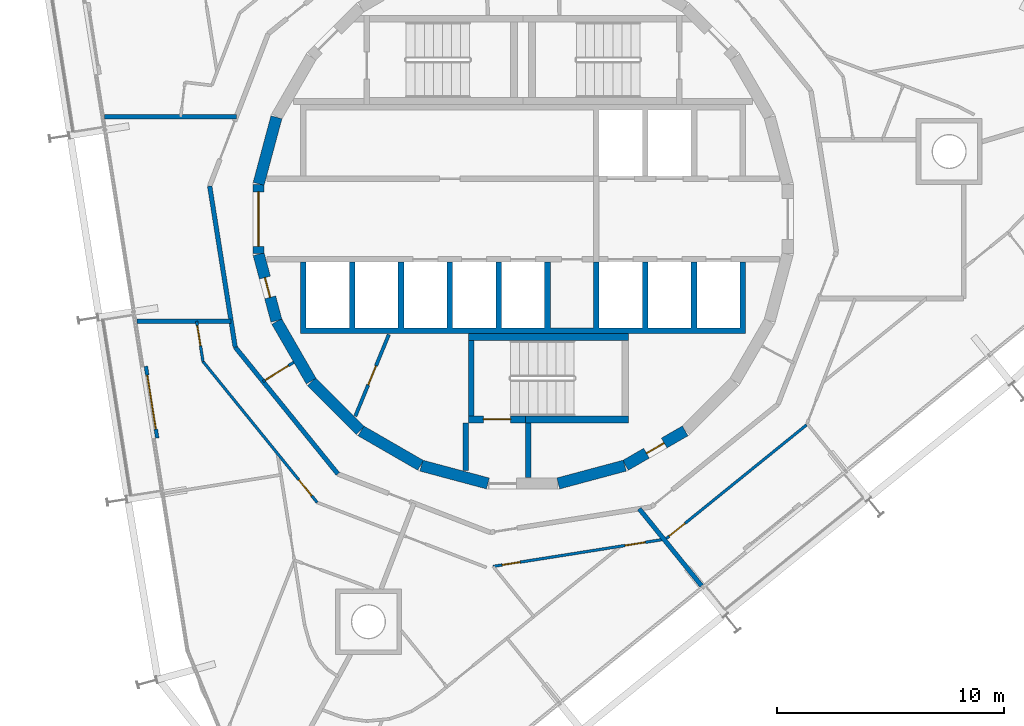
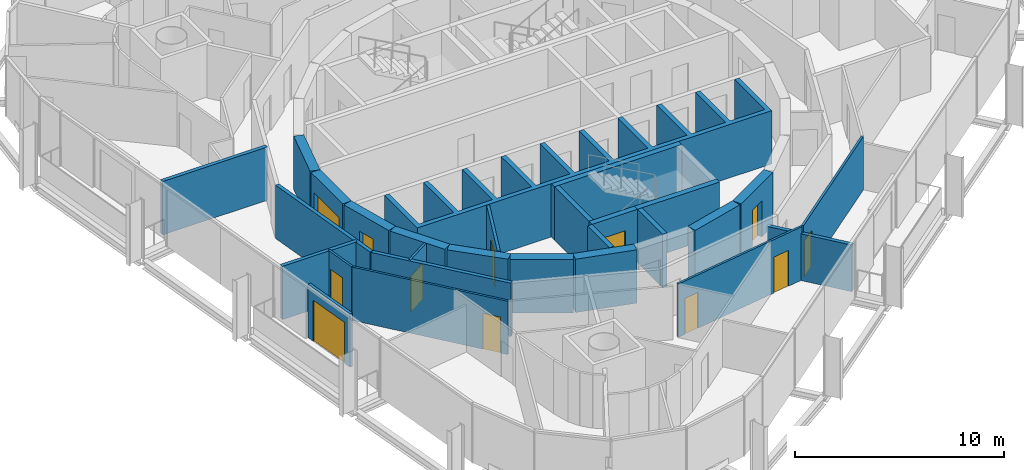
# One storey, part 12 of 17: 28 walls, 12 doors, 12 openings.
"""IFC4 building model written with IfcOpenShell, lengths in metres."""

from ifc_helpers import new_model, si_unit, direction, frame, frame_2d, origin, place, context, subcontext, project, spatial, polyline, rectangle, outline, extrude, material, layer, layer_set, type_object, element, fill, save


model = new_model("IFC4")

# Units and contexts
model_context = context("Model", 3, precision=1e-05, world=origin(), true_north=direction((0.0, 1.0)))
body_context = subcontext(model_context, "Body", "Model", "MODEL_VIEW")
ifc_project = project(units=[si_unit("LENGTHUNIT", "METRE"), si_unit("AREAUNIT", "SQUARE_METRE"), si_unit("VOLUMEUNIT", "CUBIC_METRE"), si_unit("PLANEANGLEUNIT", "RADIAN"), si_unit("MASSUNIT", "GRAM", prefix="KILO")], contexts=[model_context])

# Site, building, storey
site_placement = place(None, origin())
site = spatial("IfcSite", under=ifc_project, at=site_placement, CompositionType="ELEMENT")
building_placement = place(site_placement, origin())
building = spatial("IfcBuilding", under=site, at=building_placement, Name="Spindle Arch Residences", CompositionType="ELEMENT")
storey_placement = place(building_placement, frame((0.0, 0.0, 266.89990234375)))
storey = spatial("IfcBuildingStorey", under=building, at=storey_placement, Name="L68", CompositionType="ELEMENT", Elevation=266.89990234375)

# Wall
ifc_material_1 = material(Name="Concrete C50/60", Category="concrete")
ifc_layer_1 = layer(ifc_material_1, 0.5)
ifc_layer_set_1 = layer_set([ifc_layer_1], Name="Core outline wall 500")
wall_type_1 = type_object("IfcWallType", Name="Core outline wall 500", PredefinedType="SHEAR", material=ifc_layer_set_1)
wall_1_placement = place(storey_placement, frame((1.5498046875, -11.642822265625, 0.0), z_axis=(0.0, 0.0, 1.0), x_axis=(0.965948410781, 0.258734743916, 0.0)))
element("IfcWall", 1, at=wall_1_placement, inside=storey, type_object=wall_type_1, Name="Core outline wall 1", PredefinedType="SHEAR", context=body_context, shape_type="SweptSolid", body=[
    extrude(rectangle(XDim=3.03271484375, YDim=0.5, at=frame_2d((1.516357421875, 0.0))), origin(), (0.0, 0.0, 1.0), 3.1201171875),
])

# Wall, opening, door
wall_2_placement = place(storey_placement, frame((4.510498046875, -10.84521484375, 0.0), z_axis=(0.0, 0.0, 1.0), x_axis=(0.865975092491, 0.500087131594, 0.0)))
wall_2 = element("IfcWall", 2, at=wall_2_placement, inside=storey, type_object=wall_type_1, Name="Core outline wall 2", PredefinedType="SHEAR", context=body_context, shape_type="SweptSolid", body=[
    extrude(rectangle(XDim=3.03271484375, YDim=0.5, at=frame_2d((1.516357421875, 0.0))), origin(), (0.0, 0.0, 1.0), 3.1201171875),
])
opening_1_placement = place(wall_2_placement, frame((1.06640625, 0.0, 0.0)))
opening_1 = element("IfcOpeningElement", 3, at=opening_1_placement, cuts=wall_2, Name="Opening R7A1-WD07", PredefinedType="OPENING", context=body_context, shape_type="SweptSolid", body=[
    extrude(rectangle(XDim=0.89990234375, YDim=2.10009765625, at=frame_2d((0.449951171875, 1.050048828125))), frame((0.0, 0.260009765625, 0.0), z_axis=(0.0, -1.0, 0.0), x_axis=(1.0, 0.0, 0.0)), (0.0, 0.0, 1.0), 0.52001953125),
])
ifc_material_2 = material(Name="Steel, fire-resisting door", Category="steel")
door_type_1 = type_object("IfcDoorType", Name="Service room door 900x2100", OperationType="SINGLE_SWING_LEFT", PredefinedType="DOOR", material=ifc_material_2)
door_1_placement = place(opening_1_placement, origin())
door_1 = element("IfcDoor", 4, at=door_1_placement, inside=storey, type_object=door_type_1, Name="Service room door R7A1-WD07", OperationType="SINGLE_SWING_LEFT", OverallHeight=2.10009765625, OverallWidth=0.89990234375, PredefinedType="DOOR", context=body_context, shape_type="SweptSolid", body=[
    extrude(rectangle(XDim=0.89990234375, YDim=2.10009765625, at=frame_2d((0.449951171875, 1.050048828125))), frame((0.0, 0.02490234375, 0.0), z_axis=(0.0, -1.0, 0.0), x_axis=(1.0, 0.0, 0.0)), (0.0, 0.0, 1.0), 0.050048828125),
])
fill(opening_1, door_1)

# Wall
wall_3_placement = place(storey_placement, frame((-10.858154296875, 4.479248046875, 0.0), z_axis=(0.0, 0.0, 1.0), x_axis=(-0.258734743916, -0.965948410781, 0.0)))
element("IfcWall", 5, at=wall_3_placement, inside=storey, type_object=wall_type_1, Name="Core outline wall 17", PredefinedType="SHEAR", context=body_context, shape_type="SweptSolid", body=[
    extrude(rectangle(XDim=3.03271484375, YDim=0.5, at=frame_2d((1.516357421875, 0.0))), origin(), (0.0, 0.0, 1.0), 3.1201171875),
])

# Wall, opening, door
wall_4_placement = place(storey_placement, frame((-11.647216796875, 1.516357421875, 0.0), z_axis=(0.0, 0.0, 1.0), x_axis=(0.0, -1.0, 0.0)))
wall_4 = element("IfcWall", 6, at=wall_4_placement, inside=storey, type_object=wall_type_1, Name="Core outline wall 18", PredefinedType="SHEAR", context=body_context, shape_type="SweptSolid", body=[
    extrude(rectangle(XDim=3.03271484375, YDim=0.5, at=frame_2d((1.516357421875, 0.0))), origin(), (0.0, 0.0, 1.0), 3.1201171875),
])
opening_2_placement = place(wall_4_placement, frame((0.31640625, 0.0, 0.0)))
opening_2 = element("IfcOpeningElement", 7, at=opening_2_placement, cuts=wall_4, Name="Opening R7A1-LE01", PredefinedType="OPENING", context=body_context, shape_type="SweptSolid", body=[
    extrude(rectangle(XDim=2.39990234375, YDim=2.10009765625, at=frame_2d((1.199951171875, 1.050048828125))), frame((0.0, 0.260009765625, 0.0), z_axis=(0.0, -1.0, 0.0), x_axis=(1.0, 0.0, 0.0)), (0.0, 0.0, 1.0), 0.52001953125),
])
ifc_material_3 = material(Name="Steel, fire-resisting door", Category="steel")
door_type_2 = type_object("IfcDoorType", Name="Lift lobby entrance door 2400x2100", OperationType="DOUBLE_DOOR_SINGLE_SWING", PredefinedType="DOOR", material=ifc_material_3)
door_2_placement = place(opening_2_placement, origin())
door_2 = element("IfcDoor", 8, at=door_2_placement, inside=storey, type_object=door_type_2, Name="Lift lobby entrance door R7A1-LE01", OperationType="DOUBLE_DOOR_SINGLE_SWING", OverallHeight=2.10009765625, OverallWidth=2.39990234375, PredefinedType="DOOR", context=body_context, shape_type="SweptSolid", body=[
    extrude(rectangle(XDim=2.39990234375, YDim=2.10009765625, at=frame_2d((1.199951171875, 1.050048828125))), frame((0.0, 0.02490234375, 0.0), z_axis=(0.0, -1.0, 0.0), x_axis=(1.0, 0.0, 0.0)), (0.0, 0.0, 1.0), 0.050048828125),
])
fill(opening_2, door_2)

wall_5_placement = place(storey_placement, frame((-11.642822265625, -1.5498046875, 0.0), z_axis=(0.0, 0.0, 1.0), x_axis=(0.258734743916, -0.965948410781, 0.0)))
wall_5 = element("IfcWall", 9, at=wall_5_placement, inside=storey, type_object=wall_type_1, Name="Core outline wall 19", PredefinedType="SHEAR", context=body_context, shape_type="SweptSolid", body=[
    extrude(rectangle(XDim=3.03271484375, YDim=0.5, at=frame_2d((1.516357421875, 0.0))), origin(), (0.0, 0.0, 1.0), 3.1201171875),
])
opening_3_placement = place(wall_5_placement, frame((1.06640625, 0.0, 0.0)))
opening_3 = element("IfcOpeningElement", 10, at=opening_3_placement, cuts=wall_5, Name="Opening R7A1-WD08", PredefinedType="OPENING", context=body_context, shape_type="SweptSolid", body=[
    extrude(rectangle(XDim=0.89990234375, YDim=2.10009765625, at=frame_2d((0.449951171875, 1.050048828125))), frame((0.0, 0.260009765625, 0.0), z_axis=(0.0, -1.0, 0.0), x_axis=(1.0, 0.0, 0.0)), (0.0, 0.0, 1.0), 0.52001953125),
])
door_3_placement = place(opening_3_placement, origin())
door_3 = element("IfcDoor", 11, at=door_3_placement, inside=storey, type_object=door_type_1, Name="Service room door R7A1-WD08", OperationType="SINGLE_SWING_RIGHT", OverallHeight=2.10009765625, OverallWidth=0.89990234375, PredefinedType="DOOR", context=body_context, shape_type="SweptSolid", body=[
    extrude(rectangle(XDim=0.89990234375, YDim=2.10009765625, at=frame_2d((0.449951171875, 1.050048828125))), frame((0.0, 0.02490234375, 0.0), z_axis=(0.0, -1.0, 0.0), x_axis=(1.0, 0.0, 0.0)), (0.0, 0.0, 1.0), 0.050048828125),
])
fill(opening_3, door_3)

# Walls
wall_6_placement = place(storey_placement, frame((-10.84521484375, -4.510498046875, 0.0), z_axis=(0.0, 0.0, 1.0), x_axis=(0.500087131594, -0.865975092491, 0.0)))
element("IfcWall", 12, at=wall_6_placement, inside=storey, type_object=wall_type_1, Name="Core outline wall 20", PredefinedType="SHEAR", context=body_context, shape_type="SweptSolid", body=[
    extrude(rectangle(XDim=3.03271484375, YDim=0.5, at=frame_2d((1.516357421875, 0.0))), origin(), (0.0, 0.0, 1.0), 3.1201171875),
])
wall_7_placement = place(storey_placement, frame((-9.30810546875, -7.163818359375, 0.0), z_axis=(0.0, 0.0, 1.0), x_axis=(0.707106781187, -0.707106781187, 0.0)))
element("IfcWall", 13, at=wall_7_placement, inside=storey, type_object=wall_type_1, Name="Core outline wall 21", PredefinedType="SHEAR", context=body_context, shape_type="SweptSolid", body=[
    extrude(rectangle(XDim=3.032470703125, YDim=0.5, at=frame_2d((1.51611328125, 0.0))), origin(), (0.0, 0.0, 1.0), 3.1201171875),
])
for number, where, z_axis, x_axis, name in (
    (14, (-7.13671875, -9.32861328125, 0.0), (0.0, 0.0, 1.0), (0.865975092491, -0.500087131594, 0.0), "Core outline wall 22"),
    (15, (-4.479248046875, -10.858154296875, 0.0), (0.0, 0.0, 1.0), (0.965948410781, -0.258734743916, 0.0), "Core outline wall 23"),
):
    element("IfcWall", number, at=place(storey_placement, frame(where, z_axis=z_axis, x_axis=x_axis)), inside=storey, type_object=wall_type_1, Name=name, PredefinedType="SHEAR", context=body_context, shape_type="SweptSolid", body=[
        extrude(rectangle(XDim=3.03271484375, YDim=0.5, at=frame_2d((1.516357421875, 0.0))), origin(), (0.0, 0.0, 1.0), 3.1201171875),
    ])

# Wall, opening, door
ifc_material_4 = material(Name="Plasterboard on steel studs", Category="steel")
ifc_layer_2 = layer(ifc_material_4, 0.1201171875)
ifc_layer_set_2 = layer_set([ifc_layer_2], Name="Corridor division wall 120")
wall_type_2 = type_object("IfcWallType", Name="Corridor division wall 120", PredefinedType="PARTITIONING", material=ifc_layer_set_2)
wall_8_placement = place(storey_placement, frame((-11.44921875, -7.154296875, 0.0), z_axis=(0.0, 0.0, 1.0), x_axis=(0.848067047543, 0.529888934468, 0.0)))
wall_8 = element("IfcWall", 16, at=wall_8_placement, inside=storey, type_object=wall_type_2, Name="Corridor division wall R7A1-W003", PredefinedType="PARTITIONING", context=body_context, shape_type="SweptSolid", body=[
    extrude(rectangle(XDim=1.595947265625, YDim=0.1201171875, at=frame_2d((0.7978515625, 0.0))), origin(), (0.0, 0.0, 1.0), 3.1201171875),
])
opening_4_placement = place(wall_8_placement, frame((0.1201171875, 0.0, 0.0)))
opening_4 = element("IfcOpeningElement", 17, at=opening_4_placement, cuts=wall_8, Name="Opening R7A1-CD03", PredefinedType="OPENING", context=body_context, shape_type="SweptSolid", body=[
    extrude(rectangle(XDim=1.199951171875, YDim=2.10009765625, at=frame_2d((0.60009765625, 1.050048828125))), frame((0.0, 0.070068359375, 0.0), z_axis=(0.0, -1.0, 0.0), x_axis=(1.0, 0.0, 0.0)), (0.0, 0.0, 1.0), 0.14013671875),
])
ifc_material_5 = material(Name="Steel, fire-resisting door", Category="steel")
door_type_3 = type_object("IfcDoorType", Name="Corridor division door 1200x2100", OperationType="NOTDEFINED", PredefinedType="DOOR", material=ifc_material_5)
door_4_placement = place(opening_4_placement, origin())
door_4 = element("IfcDoor", 18, at=door_4_placement, inside=storey, type_object=door_type_3, Name="Corridor division door R7A1-CD03", OperationType="DOUBLE_DOOR_SINGLE_SWING", OverallHeight=2.10009765625, OverallWidth=1.199951171875, PredefinedType="DOOR", context=body_context, shape_type="SweptSolid", body=[
    extrude(rectangle(XDim=1.199951171875, YDim=2.10009765625, at=frame_2d((0.60009765625, 1.050048828125))), frame((0.0, 0.02490234375, 0.0), z_axis=(0.0, -1.0, 0.0), x_axis=(1.0, 0.0, 0.0)), (0.0, 0.0, 1.0), 0.050048828125),
])
fill(opening_4, door_4)

# Wall
ifc_material_6 = material(Name="Calcium silicate block, plastered")
ifc_layer_3 = layer(ifc_material_6, 0.199951171875)
ifc_layer_set_3 = layer_set([ifc_layer_3], Name="Corridor wall 200")
wall_type_3 = type_object("IfcWallType", Name="Corridor wall 200", PredefinedType="STANDARD", material=ifc_layer_set_3)
wall_9_placement = place(storey_placement, frame((-12.67333984375, -5.642578125, 0.0), z_axis=(0.0, 0.0, 1.0), x_axis=(0.629302871585, -0.777160148113, 0.0)))
element("IfcWall", 19, at=wall_9_placement, inside=storey, type_object=wall_type_3, Name="Corridor wall R7A1-W012", PredefinedType="STANDARD", context=body_context, shape_type="SweptSolid", body=[
    extrude(rectangle(XDim=7.180908203125, YDim=0.199951171875, at=frame_2d((3.59033203125, 0.0))), origin(), (0.0, 0.0, 1.0), 3.1201171875),
])

# Wall, opening, door
ifc_material_7 = material(Name="Plasterboard on steel studs", Category="steel")
ifc_layer_4 = layer(ifc_material_7, 0.1201171875)
ifc_layer_set_4 = layer_set([ifc_layer_4], Name="Flat partition 120")
wall_type_4 = type_object("IfcWallType", Name="Flat partition 120", PredefinedType="PARTITIONING", material=ifc_layer_set_4)
wall_10_placement = place(storey_placement, frame((-14.373046875, -4.5, 0.0), z_axis=(0.0, 0.0, 1.0), x_axis=(0.156437152886, -0.987687914878, 0.0)))
wall_10 = element("IfcWall", 20, at=wall_10_placement, inside=storey, type_object=wall_type_4, Name="Flat partition R7A1-W063", PredefinedType="PARTITIONING", context=body_context, shape_type="SweptSolid", body=[
    extrude(rectangle(XDim=1.79638671875, YDim=0.1201171875, at=frame_2d((0.898193359375, 0.0))), origin(), (0.0, 0.0, 1.0), 3.1201171875),
])
opening_5_placement = place(wall_10_placement, frame((0.199951171875, 0.0, 0.0)))
opening_5 = element("IfcOpeningElement", 21, at=opening_5_placement, cuts=wall_10, Name="Opening R7A1-ID14", PredefinedType="OPENING", context=body_context, shape_type="SweptSolid", body=[
    extrude(rectangle(XDim=0.89990234375, YDim=2.10009765625, at=frame_2d((0.449951171875, 1.050048828125))), frame((0.0, 0.070068359375, 0.0), z_axis=(0.0, -1.0, 0.0), x_axis=(1.0, 0.0, 0.0)), (0.0, 0.0, 1.0), 0.14013671875),
])
ifc_material_8 = material(Name="Timber door set", Category="wood")
door_type_4 = type_object("IfcDoorType", Name="Room door 900x2100", OperationType="NOTDEFINED", PredefinedType="DOOR", material=ifc_material_8)
door_5_placement = place(opening_5_placement, origin())
door_5 = element("IfcDoor", 22, at=door_5_placement, inside=storey, type_object=door_type_4, Name="Room door R7A1-ID14", OperationType="SINGLE_SWING_RIGHT", OverallHeight=2.10009765625, OverallWidth=0.89990234375, PredefinedType="DOOR", context=body_context, shape_type="SweptSolid", body=[
    extrude(rectangle(XDim=0.89990234375, YDim=2.10009765625, at=frame_2d((0.449951171875, 1.050048828125))), frame((0.0, 0.02490234375, 0.0), z_axis=(0.0, -1.0, 0.0), x_axis=(1.0, 0.0, 0.0)), (0.0, 0.0, 1.0), 0.050048828125),
])
fill(opening_5, door_5)

wall_11_placement = place(storey_placement, frame((-14.092041015625, -6.274169921875, 0.0), z_axis=(0.0, 0.0, 1.0), x_axis=(0.62933367237, -0.777135206268, 0.0)))
wall_11 = element("IfcWall", 23, at=wall_11_placement, inside=storey, type_object=wall_type_4, Name="Flat partition R7A1-W064", PredefinedType="PARTITIONING", context=body_context, shape_type="SweptSolid", body=[
    extrude(rectangle(XDim=7.98486328125, YDim=0.1201171875, at=frame_2d((3.992431640625, 0.0))), origin(), (0.0, 0.0, 1.0), 3.1201171875),
])
opening_6_placement = place(wall_11_placement, frame((6.706787109375, 0.0, 0.0)))
opening_6 = element("IfcOpeningElement", 24, at=opening_6_placement, cuts=wall_11, Name="Opening R7A1-ID15", PredefinedType="OPENING", context=body_context, shape_type="SweptSolid", body=[
    extrude(rectangle(XDim=0.89990234375, YDim=2.10009765625, at=frame_2d((0.449951171875, 1.050048828125))), frame((0.0, 0.070068359375, 0.0), z_axis=(0.0, -1.0, 0.0), x_axis=(1.0, 0.0, 0.0)), (0.0, 0.0, 1.0), 0.14013671875),
])
door_6_placement = place(opening_6_placement, origin())
door_6 = element("IfcDoor", 25, at=door_6_placement, inside=storey, type_object=door_type_4, Name="Room door R7A1-ID15", OperationType="SINGLE_SWING_RIGHT", OverallHeight=2.10009765625, OverallWidth=0.89990234375, PredefinedType="DOOR", context=body_context, shape_type="SweptSolid", body=[
    extrude(rectangle(XDim=0.89990234375, YDim=2.10009765625, at=frame_2d((0.449951171875, 1.050048828125))), frame((0.0, 0.02490234375, 0.0), z_axis=(0.0, -1.0, 0.0), x_axis=(1.0, 0.0, 0.0)), (0.0, 0.0, 1.0), 0.050048828125),
])
fill(opening_6, door_6)

# Wall, openings, doors
wall_12_placement = place(storey_placement, frame((-1.318359375, -15.29443359375, 0.0), z_axis=(0.0, 0.0, 1.0), x_axis=(0.987689040792, 0.156430044108, 0.0)))
wall_12 = element("IfcWall", 26, at=wall_12_placement, inside=storey, type_object=wall_type_4, Name="Flat partition R7A1-W074", PredefinedType="PARTITIONING", context=body_context, shape_type="SweptSolid", body=[
    extrude(rectangle(XDim=7.6162109375, YDim=0.1201171875, at=frame_2d((3.80810546875, 0.0))), origin(), (0.0, 0.0, 1.0), 3.1201171875),
])
opening_7_placement = place(wall_12_placement, frame((0.39990234375, 0.0, 0.0)))
opening_7 = element("IfcOpeningElement", 27, at=opening_7_placement, cuts=wall_12, Name="Opening R7A1-BD05", PredefinedType="OPENING", context=body_context, shape_type="SweptSolid", body=[
    extrude(rectangle(XDim=0.800048828125, YDim=2.10009765625, at=frame_2d((0.39990234375, 1.050048828125))), frame((0.0, 0.070068359375, 0.0), z_axis=(0.0, -1.0, 0.0), x_axis=(1.0, 0.0, 0.0)), (0.0, 0.0, 1.0), 0.14013671875),
])
opening_8_placement = place(wall_12_placement, frame((5.88037109375, 0.0, 0.0)))
opening_8 = element("IfcOpeningElement", 28, at=opening_8_placement, cuts=wall_12, Name="Opening R7A1-ID19", PredefinedType="OPENING", context=body_context, shape_type="SweptSolid", body=[
    extrude(rectangle(XDim=0.89990234375, YDim=2.10009765625, at=frame_2d((0.449951171875, 1.050048828125))), frame((0.0, 0.070068359375, 0.0), z_axis=(0.0, -1.0, 0.0), x_axis=(1.0, 0.0, 0.0)), (0.0, 0.0, 1.0), 0.14013671875),
])
ifc_material_9 = material(Name="Timber door set", Category="wood")
door_type_5 = type_object("IfcDoorType", Name="Bathroom door 800x2100", OperationType="NOTDEFINED", PredefinedType="DOOR", material=ifc_material_9)
door_7_placement = place(opening_7_placement, origin())
door_7 = element("IfcDoor", 29, at=door_7_placement, inside=storey, type_object=door_type_5, Name="Bathroom door R7A1-BD05", OperationType="SINGLE_SWING_LEFT", OverallHeight=2.10009765625, OverallWidth=0.800048828125, PredefinedType="DOOR", context=body_context, shape_type="SweptSolid", body=[
    extrude(rectangle(XDim=0.800048828125, YDim=2.10009765625, at=frame_2d((0.39990234375, 1.050048828125))), frame((0.0, 0.02490234375, 0.0), z_axis=(0.0, -1.0, 0.0), x_axis=(1.0, 0.0, 0.0)), (0.0, 0.0, 1.0), 0.050048828125),
])
fill(opening_7, door_7)
door_8_placement = place(opening_8_placement, origin())
door_8 = element("IfcDoor", 30, at=door_8_placement, inside=storey, type_object=door_type_4, Name="Room door R7A1-ID19", OperationType="SINGLE_SWING_LEFT", OverallHeight=2.10009765625, OverallWidth=0.89990234375, PredefinedType="DOOR", context=body_context, shape_type="SweptSolid", body=[
    extrude(rectangle(XDim=0.89990234375, YDim=2.10009765625, at=frame_2d((0.449951171875, 1.050048828125))), frame((0.0, 0.02490234375, 0.0), z_axis=(0.0, -1.0, 0.0), x_axis=(1.0, 0.0, 0.0)), (0.0, 0.0, 1.0), 0.050048828125),
])
fill(opening_8, door_8)

# Wall, opening, door
wall_13_placement = place(storey_placement, frame((6.274169921875, -14.092041015625, 0.0), z_axis=(0.0, 0.0, 1.0), x_axis=(0.777135206268, 0.62933367237, 0.0)))
wall_13 = element("IfcWall", 31, at=wall_13_placement, inside=storey, type_object=wall_type_4, Name="Flat partition R7A1-W085", PredefinedType="PARTITIONING", context=body_context, shape_type="SweptSolid", body=[
    extrude(rectangle(XDim=7.98486328125, YDim=0.1201171875, at=frame_2d((3.992431640625, 0.0))), origin(), (0.0, 0.0, 1.0), 3.1201171875),
])
opening_9_placement = place(wall_13_placement, frame((0.199951171875, 0.0, 0.0)))
opening_9 = element("IfcOpeningElement", 32, at=opening_9_placement, cuts=wall_13, Name="Opening R7A1-ID23", PredefinedType="OPENING", context=body_context, shape_type="SweptSolid", body=[
    extrude(rectangle(XDim=0.89990234375, YDim=2.10009765625, at=frame_2d((0.449951171875, 1.050048828125))), frame((0.0, 0.070068359375, 0.0), z_axis=(0.0, -1.0, 0.0), x_axis=(1.0, 0.0, 0.0)), (0.0, 0.0, 1.0), 0.14013671875),
])
door_9_placement = place(opening_9_placement, origin())
door_9 = element("IfcDoor", 33, at=door_9_placement, inside=storey, type_object=door_type_4, Name="Room door R7A1-ID23", OperationType="SINGLE_SWING_LEFT", OverallHeight=2.10009765625, OverallWidth=0.89990234375, PredefinedType="DOOR", context=body_context, shape_type="SweptSolid", body=[
    extrude(rectangle(XDim=0.89990234375, YDim=2.10009765625, at=frame_2d((0.449951171875, 1.050048828125))), frame((0.0, 0.02490234375, 0.0), z_axis=(0.0, -1.0, 0.0), x_axis=(1.0, 0.0, 0.0)), (0.0, 0.0, 1.0), 0.050048828125),
])
fill(opening_9, door_9)

# Wall
ifc_material_10 = material(Name="Calcium silicate block, plastered")
ifc_layer_5 = layer(ifc_material_10, 0.199951171875)
ifc_layer_set_5 = layer_set([ifc_layer_5], Name="Flat party wall 200 under beam 2730")
wall_type_5 = type_object("IfcWallType", Name="Flat party wall 200 under beam 2730", PredefinedType="STANDARD", material=ifc_layer_set_5)
wall_14_placement = place(storey_placement, frame((7.860595703125, -16.1484375, 0.0), z_axis=(0.0, 0.0, 1.0), x_axis=(-0.629330189513, 0.777138026716, 0.0)))
element("IfcWall", 34, at=wall_14_placement, inside=storey, type_object=wall_type_5, Name="Flat party wall R7A1-W029", PredefinedType="STANDARD", context=body_context, shape_type="SweptSolid", body=[
    extrude(rectangle(XDim=4.364013671875, YDim=0.199951171875, at=frame_2d((2.18212890625, 0.0))), origin(), (0.0, 0.0, 1.0), 2.72998046875),
])

# Wall, opening, door
ifc_material_11 = material(Name="Non-combustible mineral wool insulated aluminium faced external wall (K0)", Category="aluminium")
ifc_layer_6 = layer(ifc_material_11, 0.159912109375)
ifc_layer_set_6 = layer_set([ifc_layer_6], Name="Insulated external wall panel 160")
wall_type_6 = type_object("IfcWallType", Name="Insulated external wall panel 160", PredefinedType="STANDARD", material=ifc_layer_set_6)
wall_15_placement = place(storey_placement, frame((-16.60693359375, -6.482666015625, 0.0), z_axis=(0.0, 0.0, 1.0), x_axis=(0.156401347891, -0.987693585267, 0.0)))
wall_15 = element("IfcWall", 35, at=wall_15_placement, inside=storey, type_object=wall_type_6, Name="External wall L68 bay 14", PredefinedType="STANDARD", context=body_context, shape_type="SweptSolid", body=[
    extrude(rectangle(XDim=3.199951171875, YDim=0.159912109375, at=frame_2d((1.60009765625, 0.0))), origin(), (0.0, 0.0, 1.0), 3.1201171875),
])
opening_10_placement = place(wall_15_placement, frame((0.39990234375, 0.0, 0.0)))
opening_10 = element("IfcOpeningElement", 36, at=opening_10_placement, cuts=wall_15, Name="Opening BD14", PredefinedType="OPENING", context=body_context, shape_type="SweptSolid", body=[
    extrude(rectangle(XDim=2.39990234375, YDim=2.39990234375, at=frame_2d((1.199951171875, 1.199951171875))), frame((0.0, 0.08984375, 0.0), z_axis=(0.0, -1.0, 0.0), x_axis=(1.0, 0.0, 0.0)), (0.0, 0.0, 1.0), 0.179931640625),
])
ifc_material_12 = material(Name="Bronze aluminium frame, tinted double glazing", Category="aluminium")
door_type_6 = type_object("IfcDoorType", Name="Sliding glazed balcony door 2400x2400", OperationType="DOUBLE_DOOR_SLIDING", PredefinedType="DOOR", material=ifc_material_12)
door_10_placement = place(opening_10_placement, origin())
door_10 = element("IfcDoor", 37, at=door_10_placement, inside=storey, type_object=door_type_6, Name="Balcony door BD14", OperationType="DOUBLE_DOOR_SLIDING", OverallHeight=2.39990234375, OverallWidth=2.39990234375, PredefinedType="DOOR", context=body_context, shape_type="SweptSolid", body=[
    extrude(rectangle(XDim=2.39990234375, YDim=2.39990234375, at=frame_2d((1.199951171875, 1.199951171875))), frame((0.0, 0.02490234375, 0.0), z_axis=(0.0, -1.0, 0.0), x_axis=(1.0, 0.0, 0.0)), (0.0, 0.0, 1.0), 0.050048828125),
])
fill(opening_10, door_10)

# Walls
ifc_material_13 = material(Name="Calcium silicate block, plastered")
ifc_layer_7 = layer(ifc_material_13, 0.199951171875)
ifc_layer_set_7 = layer_set([ifc_layer_7], Name="Lift lobby bay wall 200")
wall_type_7 = type_object("IfcWallType", Name="Lift lobby bay wall 200", PredefinedType="STANDARD", material=ifc_layer_set_7)
wall_16_placement = place(storey_placement, frame((-13.796630859375, 1.4501953125, 0.0), z_axis=(0.0, 0.0, 1.0), x_axis=(0.156421704315, -0.987690361611, 0.0)))
element("IfcWall", 38, at=wall_16_placement, inside=storey, type_object=wall_type_7, Name="Lift lobby bay wall R7A1-W010", PredefinedType="STANDARD", context=body_context, shape_type="SweptSolid", body=[
    extrude(rectangle(XDim=7.18115234375, YDim=0.199951171875, at=frame_2d((3.590576171875, 0.0))), origin(), (0.0, 0.0, 1.0), 3.1201171875),
])
wall_17_placement = place(storey_placement, frame((-12.6259765625, 4.5, 0.0), z_axis=(0.0, 0.0, 1.0), x_axis=(-1.0, 0.0, 0.0)))
element("IfcWall", 39, at=wall_17_placement, inside=storey, type_object=wall_type_7, Name="Lift lobby bay wall R7A1-W016", PredefinedType="STANDARD", context=body_context, shape_type="SweptSolid", body=[
    extrude(rectangle(XDim=5.801513671875, YDim=0.199951171875, at=frame_2d((2.90087890625, 0.0))), origin(), (0.0, 0.0, 1.0), 3.1201171875),
])
wall_18_placement = place(storey_placement, frame((-17.001953125, -4.5, 0.0), z_axis=(0.0, 0.0, 1.0), x_axis=(1.0, 0.0, 0.0)))
element("IfcWall", 40, at=wall_18_placement, inside=storey, type_object=wall_type_7, Name="Lift lobby bay wall R7A1-W017", PredefinedType="STANDARD", context=body_context, shape_type="SweptSolid", body=[
    extrude(rectangle(XDim=4.147705078125, YDim=0.199951171875, at=frame_2d((2.07373046875, 0.0))), origin(), (0.0, 0.0, 1.0), 3.1201171875),
])
ifc_material_14 = material(Name="Concrete C50/60", Category="concrete")
wall_type_8 = type_object("IfcWallType", Name="Lift shaft wall profile", PredefinedType="SHEAR", material=ifc_material_14)
wall_19_placement = place(storey_placement, origin())
element("IfcWall", 41, at=wall_19_placement, inside=storey, type_object=wall_type_8, Name="Lift shaft walls S", PredefinedType="SHEAR", context=body_context, shape_type="SweptSolid", body=[
    extrude(outline(polyline([(9.800048828125, -5.050048828125), (9.800048828125, -4.800048828125), (9.800048828125, -1.89990234375), (9.550048828125, -1.89990234375), (9.550048828125, -4.800048828125), (7.64990234375, -4.800048828125), (7.64990234375, -1.89990234375), (7.39990234375, -1.89990234375), (7.39990234375, -4.800048828125), (5.5, -4.800048828125), (5.5, -1.89990234375), (5.25, -1.89990234375), (5.25, -4.800048828125), (3.35009765625, -4.800048828125), (3.35009765625, -1.89990234375), (3.10009765625, -1.89990234375), (3.10009765625, -4.800048828125), (1.199951171875, -4.800048828125), (1.199951171875, -1.89990234375), (0.949951171875, -1.89990234375), (0.949951171875, -4.800048828125), (-0.949951171875, -4.800048828125), (-0.949951171875, -1.89990234375), (-1.199951171875, -1.89990234375), (-1.199951171875, -4.800048828125), (-3.10009765625, -4.800048828125), (-3.10009765625, -1.89990234375), (-3.35009765625, -1.89990234375), (-3.35009765625, -4.800048828125), (-5.25, -4.800048828125), (-5.25, -1.89990234375), (-5.5, -1.89990234375), (-5.5, -4.800048828125), (-7.39990234375, -4.800048828125), (-7.39990234375, -1.89990234375), (-7.64990234375, -1.89990234375), (-7.64990234375, -4.800048828125), (-9.550048828125, -4.800048828125), (-9.550048828125, -1.89990234375), (-9.800048828125, -1.89990234375), (-9.800048828125, -4.800048828125), (-9.800048828125, -5.050048828125), (9.800048828125, -5.050048828125)])), origin(), (0.0, 0.0, 1.0), 3.1201171875),
])

# Wall, opening, door
ifc_material_15 = material(Name="Concrete C25/30", Category="concrete")
ifc_layer_8 = layer(ifc_material_15, 0.14990234375)
ifc_layer_set_8 = layer_set([ifc_layer_8], Name="Service room partition 150")
wall_type_9 = type_object("IfcWallType", Name="Service room partition 150", PredefinedType="PARTITIONING", material=ifc_layer_set_8)
wall_20_placement = place(storey_placement, frame((-7.385009765625, -8.680908203125, 0.0), z_axis=(0.0, 0.0, 1.0), x_axis=(0.379804590409, 0.925066739811, 0.0)))
wall_20 = element("IfcWall", 42, at=wall_20_placement, inside=storey, type_object=wall_type_9, Name="Core service room partition", PredefinedType="PARTITIONING", context=body_context, shape_type="SweptSolid", body=[
    extrude(rectangle(XDim=3.885009765625, YDim=0.14990234375, at=frame_2d((1.9423828125, 0.0))), origin(), (0.0, 0.0, 1.0), 3.1201171875),
])
opening_11_placement = place(wall_20_placement, frame((1.49267578125, 0.0, 0.0)))
opening_11 = element("IfcOpeningElement", 43, at=opening_11_placement, cuts=wall_20, Name="Opening R7A1-WD04", PredefinedType="OPENING", context=body_context, shape_type="SweptSolid", body=[
    extrude(rectangle(XDim=0.89990234375, YDim=2.10009765625, at=frame_2d((0.449951171875, 1.050048828125))), frame((0.0, 0.0849609375, 0.0), z_axis=(0.0, -1.0, 0.0), x_axis=(1.0, 0.0, 0.0)), (0.0, 0.0, 1.0), 0.169921875),
])
door_11_placement = place(opening_11_placement, origin())
door_11 = element("IfcDoor", 44, at=door_11_placement, inside=storey, type_object=door_type_1, Name="Service room door R7A1-WD04", OperationType="SINGLE_SWING_RIGHT", OverallHeight=2.10009765625, OverallWidth=0.89990234375, PredefinedType="DOOR", context=body_context, shape_type="SweptSolid", body=[
    extrude(rectangle(XDim=0.89990234375, YDim=2.10009765625, at=frame_2d((0.449951171875, 1.050048828125))), frame((0.0, 0.02490234375, 0.0), z_axis=(0.0, -1.0, 0.0), x_axis=(1.0, 0.0, 0.0)), (0.0, 0.0, 1.0), 0.050048828125),
])
fill(opening_11, door_11)

# Walls
ifc_material_16 = material(Name="Concrete C40/50", Category="concrete")
ifc_layer_9 = layer(ifc_material_16, 0.25)
ifc_layer_set_9 = layer_set([ifc_layer_9], Name="Stair airlock wall 250")
wall_type_10 = type_object("IfcWallType", Name="Stair airlock wall 250", PredefinedType="SHEAR", material=ifc_layer_set_9)
wall_21_placement = place(storey_placement, frame((-2.52490234375, -8.969970703125, 0.0), z_axis=(0.0, 0.0, 1.0), x_axis=(0.0, -1.0, 0.0)))
element("IfcWall", 45, at=wall_21_placement, inside=storey, type_object=wall_type_10, Name="Stair ST-3 airlock wall W", PredefinedType="SHEAR", context=body_context, shape_type="SweptSolid", body=[
    extrude(rectangle(XDim=2.110107421875, YDim=0.25, at=frame_2d((1.05517578125, 0.0))), origin(), (0.0, 0.0, 1.0), 3.1201171875),
])
wall_22_placement = place(storey_placement, frame((0.22509765625, -8.969970703125, 0.0), z_axis=(0.0, 0.0, 1.0), x_axis=(0.0, -1.0, 0.0)))
element("IfcWall", 46, at=wall_22_placement, inside=storey, type_object=wall_type_10, Name="Stair ST-3 airlock wall E", PredefinedType="SHEAR", context=body_context, shape_type="SweptSolid", body=[
    extrude(rectangle(XDim=2.409912109375, YDim=0.25, at=frame_2d((1.205078125, 0.0))), origin(), (0.0, 0.0, 1.0), 3.1201171875),
])
ifc_material_17 = material(Name="Concrete C50/60", Category="concrete")
ifc_layer_10 = layer(ifc_material_17, 0.25)
ifc_layer_set_10 = layer_set([ifc_layer_10], Name="Stair enclosure wall 250")
wall_type_11 = type_object("IfcWallType", Name="Stair enclosure wall 250", PredefinedType="SHEAR", material=ifc_layer_set_10)
wall_23_placement = place(storey_placement, frame((-2.27490234375, -8.669921875, 0.0), z_axis=(0.0, 0.0, 1.0), x_axis=(0.0, 1.0, 0.0)))
element("IfcWall", 47, at=wall_23_placement, inside=storey, type_object=wall_type_11, Name="Stair ST-3 enclosure wall W", PredefinedType="SHEAR", context=body_context, shape_type="SweptSolid", body=[
    extrude(rectangle(XDim=3.31982421875, YDim=0.25, at=frame_2d((1.659912109375, 0.0))), origin(), (0.0, 0.0, 1.0), 3.1201171875),
])
ifc_material_18 = material(Name="Concrete C50/60", Category="concrete")
ifc_layer_11 = layer(ifc_material_18, 0.300048828125)
ifc_layer_set_11 = layer_set([ifc_layer_11], Name="Stair enclosure wall 300")
wall_type_12 = type_object("IfcWallType", Name="Stair enclosure wall 300", PredefinedType="SHEAR", material=ifc_layer_set_11)
wall_24_placement = place(storey_placement, frame((-2.39990234375, -5.199951171875, 0.0), z_axis=(0.0, 0.0, 1.0), x_axis=(1.0, 0.0, 0.0)))
element("IfcWall", 48, at=wall_24_placement, inside=storey, type_object=wall_type_12, Name="Stair ST-3 enclosure wall N", PredefinedType="SHEAR", context=body_context, shape_type="SweptSolid", body=[
    extrude(rectangle(XDim=7.0498046875, YDim=0.300048828125, at=frame_2d((3.52490234375, 0.0))), origin(), (0.0, 0.0, 1.0), 3.1201171875),
])
wall_25_placement = place(storey_placement, frame((0.10009765625, -8.820068359375, 0.0), z_axis=(0.0, 0.0, 1.0), x_axis=(1.0, 0.0, 0.0)))
element("IfcWall", 49, at=wall_25_placement, inside=storey, type_object=wall_type_12, Name="Stair ST-3 enclosure wall S", PredefinedType="SHEAR", context=body_context, shape_type="SweptSolid", body=[
    extrude(rectangle(XDim=4.5498046875, YDim=0.300048828125, at=frame_2d((2.27490234375, 0.0))), origin(), (0.0, 0.0, 1.0), 3.1201171875),
])

# Wall, opening, door
wall_26_placement = place(storey_placement, frame((-2.39990234375, -8.820068359375, 0.0), z_axis=(0.0, 0.0, 1.0), x_axis=(1.0, 0.0, 0.0)))
wall_26 = element("IfcWall", 50, at=wall_26_placement, inside=storey, type_object=wall_type_12, Name="Stair ST-3 door wall", PredefinedType="SHEAR", context=body_context, shape_type="SweptSolid", body=[
    extrude(rectangle(XDim=2.5, YDim=0.300048828125, at=frame_2d((1.25, 0.0))), origin(), (0.0, 0.0, 1.0), 3.1201171875),
])
opening_12_placement = place(wall_26_placement, frame((0.64990234375, 0.0, 0.0)))
opening_12 = element("IfcOpeningElement", 51, at=opening_12_placement, cuts=wall_26, Name="Opening R7A1-SD03", PredefinedType="OPENING", context=body_context, shape_type="SweptSolid", body=[
    extrude(rectangle(XDim=1.199951171875, YDim=2.10009765625, at=frame_2d((0.60009765625, 1.050048828125))), frame((0.0, 0.16015625, 0.0), z_axis=(0.0, -1.0, 0.0), x_axis=(1.0, 0.0, 0.0)), (0.0, 0.0, 1.0), 0.320068359375),
])
ifc_material_19 = material(Name="Steel, fire-resisting door", Category="steel")
door_type_7 = type_object("IfcDoorType", Name="Stair door 1200x2100", OperationType="SINGLE_SWING_RIGHT", PredefinedType="DOOR", material=ifc_material_19)
door_12_placement = place(opening_12_placement, origin())
door_12 = element("IfcDoor", 52, at=door_12_placement, inside=storey, type_object=door_type_7, Name="Stair door R7A1-SD03", OperationType="SINGLE_SWING_LEFT", OverallHeight=2.10009765625, OverallWidth=1.199951171875, PredefinedType="DOOR", context=body_context, shape_type="SweptSolid", body=[
    extrude(rectangle(XDim=1.199951171875, YDim=2.10009765625, at=frame_2d((0.60009765625, 1.050048828125))), frame((0.0, 0.02490234375, 0.0), z_axis=(0.0, -1.0, 0.0), x_axis=(1.0, 0.0, 0.0)), (0.0, 0.0, 1.0), 0.050048828125),
])
fill(opening_12, door_12)

save(model, "model.ifc")
